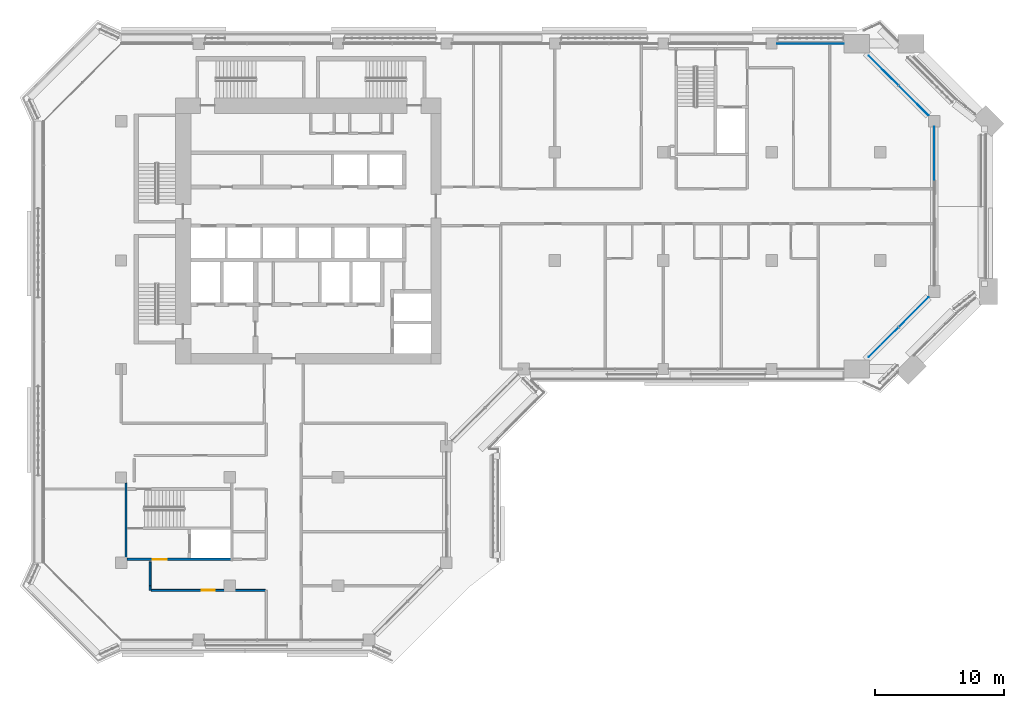
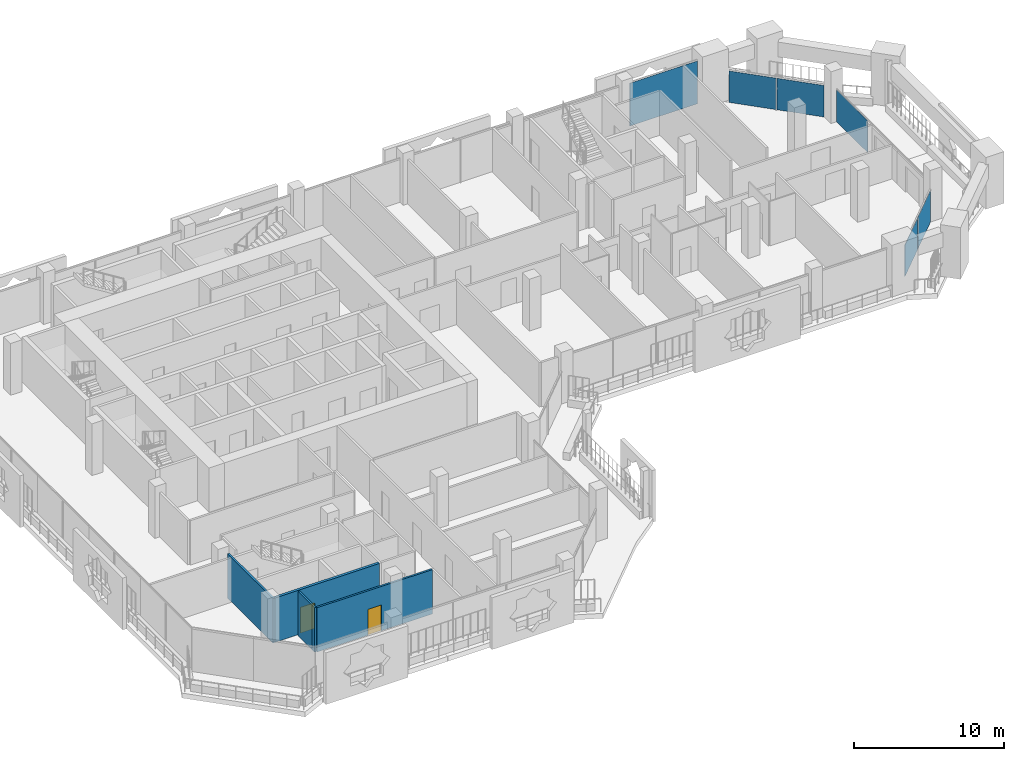
# One storey, part 9 of 21: 6 plates, 5 walls, 2 doors, 2 openings, 4 elements without a shape of their own.
"""IFC4 building model written with IfcOpenShell, lengths in metres."""

from ifc_helpers import new_model, si_unit, direction, frame, frame_2d, origin, origin_2d, place, context, subcontext, project, spatial, rectangle, extrude, material, layer, layer_set, type_object, element, fill, aggregate, save


model = new_model("IFC4")

# Units and contexts
model_context = context("Model", 3, precision=1e-05, world=origin(), true_north=direction((0.0, 1.0)))
body_context = subcontext(model_context, "Body", "Model", "MODEL_VIEW")
ifc_project = project(units=[si_unit("LENGTHUNIT", "METRE"), si_unit("AREAUNIT", "SQUARE_METRE"), si_unit("VOLUMEUNIT", "CUBIC_METRE"), si_unit("PLANEANGLEUNIT", "RADIAN"), si_unit("MASSUNIT", "GRAM", prefix="KILO")], contexts=[model_context])

# Site, building, storey
site_placement = place(None, origin())
site = spatial("IfcSite", under=ifc_project, at=site_placement, CompositionType="ELEMENT")
building_placement = place(site_placement, origin())
building = spatial("IfcBuilding", under=site, at=building_placement, Name="Kawkab Arch Medical Tower", CompositionType="ELEMENT")
storey_placement = place(building_placement, frame((0.0, 0.0, 234.800048828125)))
storey = spatial("IfcBuildingStorey", under=building, at=storey_placement, Name="L54", CompositionType="ELEMENT", Elevation=234.800048828125)

# Curtain wall, plate
ifc_material_1 = material(Name="Bronze anodised aluminium curtain wall frame", Category="aluminium")
ifc_layer_1 = layer(ifc_material_1, 0.159912109375)
ifc_layer_set_1 = layer_set([ifc_layer_1], Name="Bronze anodised aluminium curtain wall frame")
curtain_wall_type_1 = type_object("IfcCurtainWallType", Name="CW1 ward curtain wall", PredefinedType="NOTDEFINED", material=ifc_layer_set_1)
placement = place(storey_placement, origin())
curtain_wall_1 = element("IfcCurtainWall", 1, at=placement, inside=storey, type_object=curtain_wall_type_1, Name="CW1 Ward curtain wall R09", PredefinedType="NOTDEFINED")
ifc_material_2 = material(Name="Tinted insulating glass, bronze low-e coating", Category="glass")
ifc_layer_2 = layer(ifc_material_2, 0.031982421875)
ifc_layer_set_2 = layer_set([ifc_layer_2], Name="Tinted insulating glass, bronze low-e coating")
plate_type_1 = type_object("IfcPlateType", Name="CW1 glazing unit 32", PredefinedType="CURTAIN_PANEL", material=ifc_layer_set_2)
plate_1_placement = place(storey_placement, frame((63.0, -8.5, 0.0), z_axis=(0.0, 0.0, 1.0), x_axis=(0.0, 1.0, 0.0)))
plate_1 = element("IfcPlate", 2, at=plate_1_placement, type_object=plate_type_1, Name="CW1 glazing unit 1.3", PredefinedType="CURTAIN_PANEL", context=body_context, shape_type="SweptSolid", body=[
    extrude(rectangle(XDim=4.10009765625, YDim=0.031982421875, at=origin_2d()), origin(), (0.0, 0.0, 1.0), 2.580078125),
])
aggregate(curtain_wall_1, [plate_1])

curtain_wall_2 = element("IfcCurtainWall", 3, at=placement, inside=storey, type_object=curtain_wall_type_1, Name="CW1 Ward curtain wall R11", PredefinedType="NOTDEFINED")
plate_2_placement = place(storey_placement, frame((53.41259765625, 0.0, 0.0), z_axis=(0.0, 0.0, 1.0), x_axis=(-1.0, 0.0, 0.0)))
plate_2 = element("IfcPlate", 4, at=plate_2_placement, type_object=plate_type_1, Name="CW1 glazing unit 1.1", PredefinedType="CURTAIN_PANEL", context=body_context, shape_type="SweptSolid", body=[
    extrude(rectangle(XDim=5.175048828125, YDim=0.031982421875, at=origin_2d()), origin(), (0.0, 0.0, 1.0), 3.47998046875),
])
aggregate(curtain_wall_2, [plate_2])

# Curtain wall, plates
ifc_material_3 = material(Name="Bronze anodised aluminium curtain wall frame", Category="aluminium")
ifc_layer_3 = layer(ifc_material_3, 0.159912109375)
ifc_layer_set_3 = layer_set([ifc_layer_3], Name="Bronze anodised aluminium curtain wall frame")
curtain_wall_type_2 = type_object("IfcCurtainWallType", Name="CW2 chamfer curtain wall", PredefinedType="NOTDEFINED", material=ifc_layer_set_3)
curtain_wall_3 = element("IfcCurtainWall", 5, at=placement, inside=storey, type_object=curtain_wall_type_2, Name="CW2 Chamfer curtain wall R08", PredefinedType="NOTDEFINED")
ifc_material_4 = material(Name="Tinted insulating glass, bronze low-e coating", Category="glass")
ifc_layer_4 = layer(ifc_material_4, 0.031982421875)
ifc_layer_set_4 = layer_set([ifc_layer_4], Name="Tinted insulating glass, bronze low-e coating")
plate_type_2 = type_object("IfcPlateType", Name="CW2 glazing unit 32", PredefinedType="CURTAIN_PANEL", material=ifc_layer_set_4)
plate_3_placement = place(storey_placement, frame((59.07470703125, -23.125244140625, 0.0), z_axis=(0.0, 0.0, 1.0), x_axis=(0.707106781187, 0.707106781187, 0.0)))
plate_3 = element("IfcPlate", 6, at=plate_3_placement, type_object=plate_type_2, Name="CW2 glazing unit 1.1", PredefinedType="CURTAIN_PANEL", context=body_context, shape_type="SweptSolid", body=[
    extrude(rectangle(XDim=3.236572265625, YDim=0.031982421875, at=origin_2d()), origin(), (0.0, 0.0, 1.0), 2.56005859375),
])
plate_4_placement = place(storey_placement, frame((61.40576171875, -20.794189453125, 0.0), z_axis=(0.0, 0.0, 1.0), x_axis=(0.707106781187, 0.707106781187, 0.0)))
plate_4 = element("IfcPlate", 7, at=plate_4_placement, type_object=plate_type_2, Name="CW2 glazing unit 1.2", PredefinedType="CURTAIN_PANEL", context=body_context, shape_type="SweptSolid", body=[
    extrude(rectangle(XDim=3.236572265625, YDim=0.031982421875, at=origin_2d()), origin(), (0.0, 0.0, 1.0), 2.56005859375),
])
aggregate(curtain_wall_3, [plate_3, plate_4])

curtain_wall_4 = element("IfcCurtainWall", 8, at=placement, inside=storey, type_object=curtain_wall_type_2, Name="CW2 Chamfer curtain wall R10", PredefinedType="NOTDEFINED")
plate_5_placement = place(storey_placement, frame((61.40576171875, -4.40576171875, 0.0), z_axis=(0.0, 0.0, 1.0), x_axis=(-0.707106781187, 0.707106781187, 0.0)))
plate_5 = element("IfcPlate", 9, at=plate_5_placement, type_object=plate_type_2, Name="CW2 glazing unit 1.1", PredefinedType="CURTAIN_PANEL", context=body_context, shape_type="SweptSolid", body=[
    extrude(rectangle(XDim=3.236572265625, YDim=0.031982421875, at=origin_2d()), origin(), (0.0, 0.0, 1.0), 2.56005859375),
])
plate_6_placement = place(storey_placement, frame((59.07470703125, -2.07470703125, 0.0), z_axis=(0.0, 0.0, 1.0), x_axis=(-0.707106781187, 0.707106781187, 0.0)))
plate_6 = element("IfcPlate", 10, at=plate_6_placement, type_object=plate_type_2, Name="CW2 glazing unit 1.2", PredefinedType="CURTAIN_PANEL", context=body_context, shape_type="SweptSolid", body=[
    extrude(rectangle(XDim=3.236572265625, YDim=0.031982421875, at=origin_2d()), origin(), (0.0, 0.0, 1.0), 2.56005859375),
])
aggregate(curtain_wall_4, [plate_5, plate_6])

# Wall, opening, door
ifc_material_5 = material(Name="Gypsum board partition on steel studs, mineral wool", Category="steel")
ifc_layer_5 = layer(ifc_material_5, 0.14990234375)
ifc_layer_set_5 = layer_set([ifc_layer_5], Name="Gypsum board partition on steel studs, mineral wool")
wall_type_1 = type_object("IfcWallType", Name="Partition 150", PredefinedType="PARTITIONING", material=ifc_layer_set_5)
wall_1_placement = place(storey_placement, frame((2.326904296875, -42.35009765625, 0.0), z_axis=(0.0, 0.0, 1.0), x_axis=(1.0, 0.0, 0.0)))
wall_1 = element("IfcWall", 11, at=wall_1_placement, inside=storey, type_object=wall_type_1, Name="Partition 150 w008", PredefinedType="PARTITIONING", context=body_context, shape_type="SweptSolid", body=[
    extrude(rectangle(XDim=8.84814453125, YDim=0.14990234375, at=frame_2d((4.424072265625, 0.0))), origin(), (0.0, 0.0, 1.0), 3.599853515625),
])
opening_1_placement = place(wall_1_placement, frame((3.924072265625, 0.0, 0.0)))
opening_1 = element("IfcOpeningElement", 12, at=opening_1_placement, cuts=wall_1, Name="Opening W54-016", PredefinedType="OPENING", context=body_context, shape_type="SweptSolid", body=[
    extrude(rectangle(XDim=1.0, YDim=2.10009765625, at=frame_2d((0.5, 1.050048828125))), frame((0.0, 0.0849609375, 0.0), z_axis=(0.0, -1.0, 0.0), x_axis=(1.0, 0.0, 0.0)), (0.0, 0.0, 1.0), 0.169921875),
])
ifc_material_6 = material(Name="Hollow metal door leaf")
door_type_1 = type_object("IfcDoorType", Name="Single door 1000x2100 FD30S", OperationType="NOTDEFINED", PredefinedType="DOOR", material=ifc_material_6)
door_1_placement = place(opening_1_placement, origin())
door_1 = element("IfcDoor", 13, at=door_1_placement, inside=storey, type_object=door_type_1, Name="Door W54-016", OperationType="SINGLE_SWING_LEFT", OverallHeight=2.10009765625, OverallWidth=1.0, PredefinedType="DOOR", context=body_context, shape_type="SweptSolid", body=[
    extrude(rectangle(XDim=1.0, YDim=2.10009765625, at=frame_2d((0.5, 1.050048828125))), frame((0.0, 0.02490234375, 0.0), z_axis=(0.0, -1.0, 0.0), x_axis=(1.0, 0.0, 0.0)), (0.0, 0.0, 1.0), 0.050048828125),
])
fill(opening_1, door_1)

# Walls
wall_2_placement = place(storey_placement, frame((2.25, -42.347900390625, 0.0), z_axis=(0.0, 0.0, 1.0), x_axis=(0.0, 1.0, 0.0)))
element("IfcWall", 14, at=wall_2_placement, inside=storey, type_object=wall_type_1, Name="Partition 150 w034", PredefinedType="PARTITIONING", context=body_context, shape_type="SweptSolid", body=[
    extrude(rectangle(XDim=0.347900390625, YDim=0.14990234375, at=frame_2d((0.173828125, 0.0))), origin(), (0.0, 0.0, 1.0), 3.599853515625),
])
wall_3_placement = place(storey_placement, frame((2.25, -41.97998046875, 0.0), z_axis=(0.0, 0.0, 1.0), x_axis=(0.0, 1.0, 0.0)))
element("IfcWall", 15, at=wall_3_placement, inside=storey, type_object=wall_type_1, Name="Partition 150 w035", PredefinedType="PARTITIONING", context=body_context, shape_type="SweptSolid", body=[
    extrude(rectangle(XDim=1.830078125, YDim=0.14990234375, at=frame_2d((0.9150390625, 0.0))), origin(), (0.0, 0.0, 1.0), 3.599853515625),
])
ifc_material_7 = material(Name="Concrete C50/60", Category="concrete")
ifc_layer_6 = layer(ifc_material_7, 0.14990234375)
ifc_layer_set_6 = layer_set([ifc_layer_6], Name="Concrete C50/60")
wall_type_2 = type_object("IfcWallType", Name="Stair enclosure wall 150 C50/60", PredefinedType="SHEAR", material=ifc_layer_set_6)
wall_4_placement = place(storey_placement, frame((0.375, -40.050048828125, 0.0), z_axis=(0.0, 0.0, 1.0), x_axis=(0.0, 1.0, 0.0)))
element("IfcWall", 16, at=wall_4_placement, inside=storey, type_object=wall_type_2, Name="L54 stair enclosure wall", PredefinedType="SHEAR", context=body_context, shape_type="SweptSolid", body=[
    extrude(rectangle(XDim=6.025146484375, YDim=0.14990234375, at=frame_2d((3.0126953125, 0.0))), origin(), (0.0, 0.0, 1.0), 3.599853515625),
])

# Wall, opening, door
ifc_material_8 = material(Name="Concrete C50/60", Category="concrete")
ifc_layer_7 = layer(ifc_material_8, 0.199951171875)
ifc_layer_set_7 = layer_set([ifc_layer_7], Name="Concrete C50/60")
wall_type_3 = type_object("IfcWallType", Name="Stair enclosure wall 200 C50/60", PredefinedType="SHEAR", material=ifc_layer_set_7)
wall_5_placement = place(storey_placement, frame((0.449951171875, -39.949951171875, 0.0), z_axis=(0.0, 0.0, 1.0), x_axis=(1.0, 0.0, 0.0)))
wall_5 = element("IfcWall", 17, at=wall_5_placement, inside=storey, type_object=wall_type_3, Name="L54 stair enclosure wall", PredefinedType="SHEAR", context=body_context, shape_type="SweptSolid", body=[
    extrude(rectangle(XDim=8.050048828125, YDim=0.199951171875, at=frame_2d((4.02490234375, 0.0))), origin(), (0.0, 0.0, 1.0), 3.599853515625),
])
opening_2_placement = place(wall_5_placement, frame((2.0, 0.0, 0.0)))
opening_2 = element("IfcOpeningElement", 18, at=opening_2_placement, cuts=wall_5, Name="Opening FD", PredefinedType="OPENING", context=body_context, shape_type="SweptSolid", body=[
    extrude(rectangle(XDim=1.10009765625, YDim=2.10009765625, at=frame_2d((0.550048828125, 1.050048828125))), frame((0.0, 0.10986328125, 0.0), z_axis=(0.0, -1.0, 0.0), x_axis=(1.0, 0.0, 0.0)), (0.0, 0.0, 1.0), 0.219970703125),
])
ifc_material_9 = material(Name="Hollow metal fire door leaf")
door_type_2 = type_object("IfcDoorType", Name="Firefighting lobby door 1100", OperationType="SINGLE_SWING_LEFT", PredefinedType="DOOR", material=ifc_material_9)
door_2_placement = place(opening_2_placement, origin())
door_2 = element("IfcDoor", 19, at=door_2_placement, inside=storey, type_object=door_type_2, Name="L54 Service lift lobby door SV2", OperationType="SINGLE_SWING_LEFT", OverallHeight=2.10009765625, OverallWidth=1.10009765625, PredefinedType="DOOR", context=body_context, shape_type="SweptSolid", body=[
    extrude(rectangle(XDim=1.10009765625, YDim=2.10009765625, at=frame_2d((0.550048828125, 1.050048828125))), frame((0.0, 0.02490234375, 0.0), z_axis=(0.0, -1.0, 0.0), x_axis=(1.0, 0.0, 0.0)), (0.0, 0.0, 1.0), 0.050048828125),
])
fill(opening_2, door_2)

save(model, "model.ifc")
